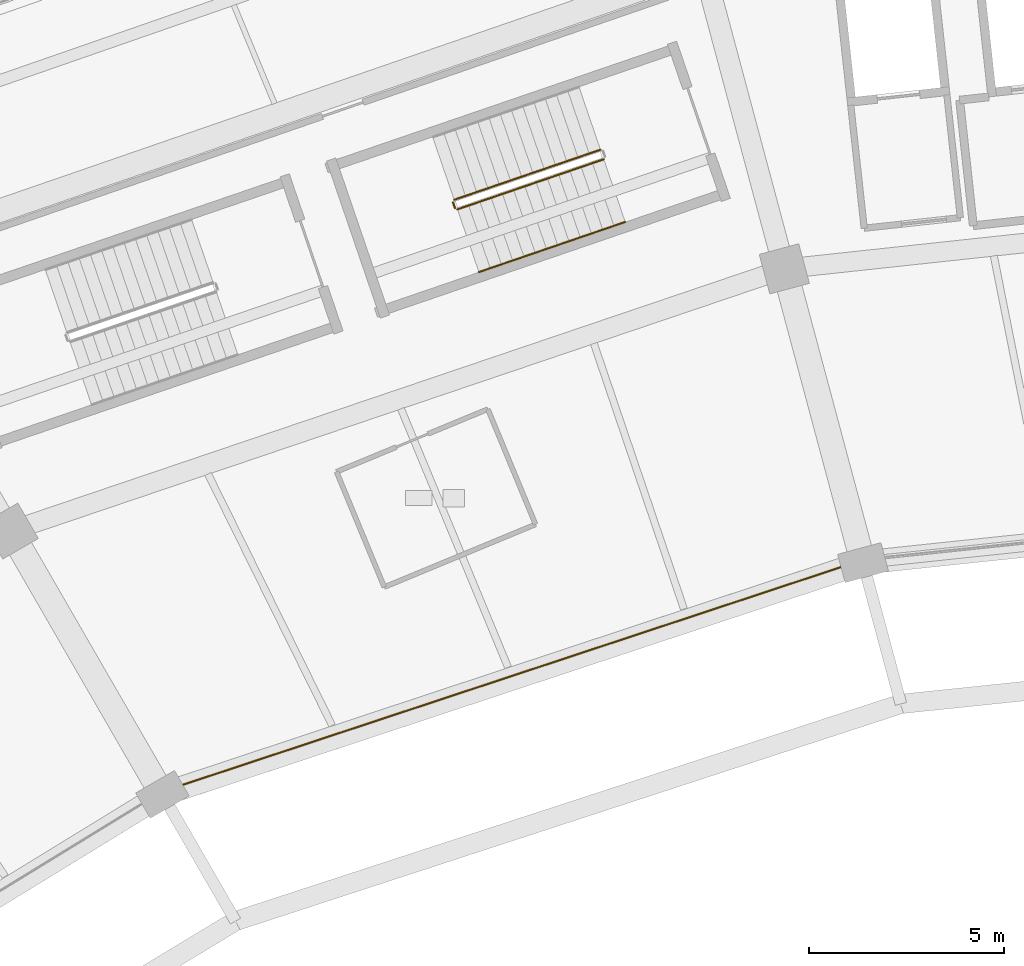
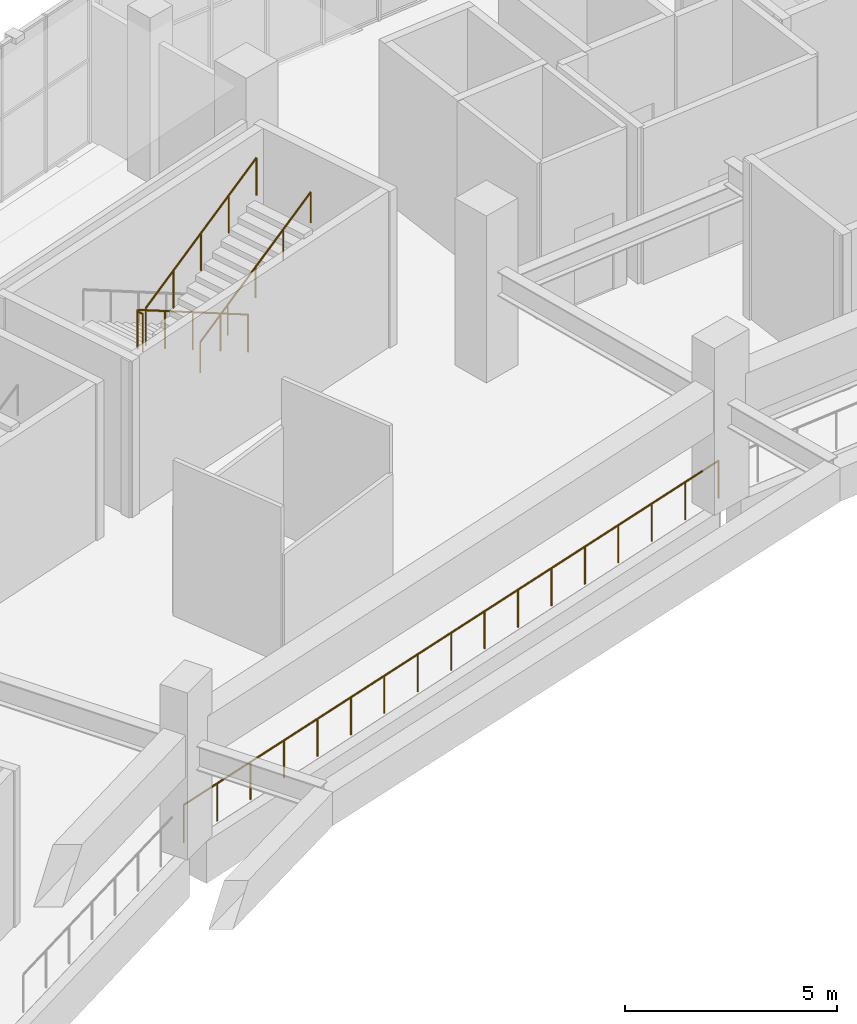
# One storey, part 165 of 179: 5 railings.
"""IFC4 building model written with IfcOpenShell, lengths in metres."""

import ifcopenshell
import ifcopenshell.guid

model = None  # the IFC model being written
_history = None  # IfcOwnerHistory: only IFC2X3 demands one
_inside = {}  # id of a spatial element -> (the spatial element, [elements in it])
_under = {}  # id of a project, library or spatial element -> (it, [spatial elements below it])
_declared = {}  # id of a project -> (the project, [libraries it declares])
_typed = {}  # id of a type object -> (the type object, [elements of that type])
_made_of = {}  # id of a material, layer set ... -> (it, [elements and type objects made of it])


def new_model(schema):
    """Start an empty IFC model of exactly this schema.

    Asked for "IFC4X3", IfcOpenShell would pick the latest addendum, in which some entities
    have other attributes; the version numbers below select the first issue.
    IFC2X3 requires an IfcOwnerHistory on every rooted entity: one is made here for all.
    """
    global model, _history
    if schema == "IFC4X3":
        model = ifcopenshell.file(schema_version=(4, 3, 0, 0))
    else:
        model = ifcopenshell.file(schema=schema)
    _inside.clear()
    _under.clear()
    _declared.clear()
    _typed.clear()
    _made_of.clear()
    _history = None
    if model.schema == "IFC2X3":
        org = make("IfcOrganization", Name="unknown")
        user = make(
            "IfcPersonAndOrganization",
            ThePerson=make("IfcPerson", FamilyName="unknown"),
            TheOrganization=org,
        )
        app = make(
            "IfcApplication",
            ApplicationDeveloper=org,
            Version="unknown",
            ApplicationFullName="unknown",
            ApplicationIdentifier="unknown",
        )
        _history = make(
            "IfcOwnerHistory",
            OwningUser=user,
            OwningApplication=app,
            ChangeAction="ADDED",
            CreationDate=0,
        )
    return model


def make(cls, **values):
    """One entity of the class cls with the attributes given. An attribute that is None is left unset."""
    return model.create_entity(
        cls, **{name: value for name, value in values.items() if value is not None}
    )


def rooted(cls, **values):
    """An entity with a GlobalId (a new one), such as an element, a storey or a relation."""
    return make(cls, GlobalId=ifcopenshell.guid.new(), OwnerHistory=_history, **values)


def si_unit(unit_type, name, prefix=None):
    """IfcSIUnit, for example si_unit("LENGTHUNIT", "METRE", prefix="MILLI")."""
    return make("IfcSIUnit", UnitType=unit_type, Prefix=prefix, Name=name)


def assignment(units):
    """IfcUnitAssignment: the units of a project."""
    return None if units is None else make("IfcUnitAssignment", Units=units)


def point(xyz):
    """IfcCartesianPoint."""
    return None if xyz is None else make("IfcCartesianPoint", Coordinates=xyz)


def direction(xyz):
    """IfcDirection."""
    return None if xyz is None else make("IfcDirection", DirectionRatios=xyz)


def frame(location, z_axis=None, x_axis=None):
    """IfcAxis2Placement3D, a coordinate frame: its origin and axes. An axis left out is left unset."""
    return make(
        "IfcAxis2Placement3D",
        Location=point(location),
        Axis=direction(z_axis),
        RefDirection=direction(x_axis),
    )


def frame_2d(location, x_axis=None):
    """IfcAxis2Placement2D, a coordinate frame in the plane: its origin and x axis."""
    return make(
        "IfcAxis2Placement2D", Location=point(location), RefDirection=direction(x_axis)
    )


def origin():
    """The frame at (0, 0, 0) with its axes left unset."""
    return frame((0.0, 0.0, 0.0))


def origin_2d():
    """The frame at (0, 0) in the plane with its x axis left unset."""
    return frame_2d((0.0, 0.0))


def place(relative_to, where):
    """IfcLocalPlacement: puts the frame where relative to a parent placement (None: the world)."""
    return make(
        "IfcLocalPlacement", PlacementRelTo=relative_to, RelativePlacement=where
    )


def context(
    kind, dimensions, precision=None, world=None, true_north=None, identifier=None
):
    """IfcGeometricRepresentationContext, for example the 3D "Model" context."""
    return make(
        "IfcGeometricRepresentationContext",
        ContextIdentifier=identifier,
        ContextType=kind,
        CoordinateSpaceDimension=dimensions,
        Precision=precision,
        WorldCoordinateSystem=world,
        TrueNorth=true_north,
    )


def subcontext(parent, identifier, kind, view, scale=None):
    """IfcGeometricRepresentationSubContext, for example "Body" below "Model"."""
    return make(
        "IfcGeometricRepresentationSubContext",
        ContextIdentifier=identifier,
        ContextType=kind,
        ParentContext=parent,
        TargetScale=scale,
        TargetView=view,
    )


def project(units=None, contexts=None):
    """IfcProject with its units and contexts."""
    return rooted(
        "IfcProject",
        Name="project",
        RepresentationContexts=contexts,
        UnitsInContext=assignment(units),
    )


def spatial(cls, under=None, at=None, **own):
    """A site, building, storey or space (cls), placed at a placement, below another one or the project."""
    s = rooted(cls, ObjectPlacement=at, **own)
    if under is not None:
        _under.setdefault(under.id(), (under, []))[1].append(s)
    return s


def profile(cls, at=None, kind="AREA", **sizes):
    """A parametric profile (cls). Its sizes go by their IFC names, for example OverallWidth=200.0."""
    return make(cls, ProfileType=kind, Position=at, **sizes)


def circle(**sizes):
    """IfcCircleProfileDef."""
    return profile("IfcCircleProfileDef", **sizes)


def extrude(swept, where, along, depth):
    """IfcExtrudedAreaSolid: the profile swept, set in the frame where, extruded along a direction by depth."""
    return make(
        "IfcExtrudedAreaSolid",
        SweptArea=swept,
        Position=where,
        ExtrudedDirection=direction(along),
        Depth=depth,
    )


def shape(context_of_items, identifier, shape_type, items):
    """IfcShapeRepresentation: the items that make up one representation, for example the "Body"."""
    return make(
        "IfcShapeRepresentation",
        ContextOfItems=context_of_items,
        RepresentationIdentifier=identifier,
        RepresentationType=shape_type,
        Items=items,
    )


def material(Name=None, Category=None):
    """IfcMaterial."""
    return make("IfcMaterial", Name=Name, Category=Category)


def made_of(thing, what):
    """Note that an element or type object is made of a material, layer set ...; save() writes the relation."""
    if what is not None:
        _made_of.setdefault(what.id(), (what, []))[1].append(thing)
    return thing


def type_object(cls, material=None, **own):
    """A type object (cls), such as IfcWallType, which elements share."""
    return made_of(rooted(cls, **own), material)


def element(
    cls,
    number,
    at=None,
    inside=None,
    cuts=None,
    type_object=None,
    material=None,
    context=None,
    identifier="Body",
    shape_type=None,
    held_by="IfcProductDefinitionShape",
    body=None,
    shapes=None,
    **own,
):
    """One element of the class cls, such as IfcWall. Its Tag is "e" and its number.

    at: its placement. inside: the storey or other place that contains it. cuts: it is an
    opening in that element (IfcRelVoidsElement). A single representation is given by context,
    identifier, shape_type and body (its items); several are given by shapes. held_by: the class
    of the entity that holds the representations. save() writes the other relations.
    """
    e = rooted(cls, Tag="e%d" % number, ObjectPlacement=at, **own)
    if body is not None:
        shapes = [shape(context, identifier, shape_type, body)]
    if shapes is not None:
        e.Representation = make(held_by, Representations=shapes)
    if inside is not None:
        _inside.setdefault(inside.id(), (inside, []))[1].append(e)
    if cuts is not None:
        rooted(
            "IfcRelVoidsElement", RelatingBuildingElement=cuts, RelatedOpeningElement=e
        )
    if type_object is not None:
        _typed.setdefault(type_object.id(), (type_object, []))[1].append(e)
    return made_of(e, material)


def aggregate(whole, parts):
    """IfcRelAggregates: a whole, such as a stair, and the parts it consists of."""
    return rooted("IfcRelAggregates", RelatingObject=whole, RelatedObjects=parts)


def save(model, path):
    """Write the relations noted so far, then the file.

    IfcRelAggregates (storeys below a building ...), IfcRelContainedInSpatialStructure (elements
    in a storey), IfcRelDefinesByType, IfcRelAssociatesMaterial and IfcRelDeclares: one each for
    every whole, place, type object, material and project.
    """
    for whole, parts in _under.values():
        aggregate(whole, parts)
    for where, things in _inside.values():
        rooted(
            "IfcRelContainedInSpatialStructure",
            RelatedElements=things,
            RelatingStructure=where,
        )
    for kind, things in _typed.values():
        rooted("IfcRelDefinesByType", RelatedObjects=things, RelatingType=kind)
    for what, things in _made_of.values():
        rooted("IfcRelAssociatesMaterial", RelatedObjects=things, RelatingMaterial=what)
    for by, libraries in _declared.values():
        rooted("IfcRelDeclares", RelatingContext=by, RelatedDefinitions=libraries)
    model.write(path)


model = new_model("IFC4")

# Units and contexts
model_context = context("Model", 3, precision=1e-05, world=origin(), true_north=direction((0.0, 1.0)))
body_context = subcontext(model_context, "Body", "Model", "MODEL_VIEW")
ifc_project = project(units=[si_unit("LENGTHUNIT", "METRE"), si_unit("AREAUNIT", "SQUARE_METRE"), si_unit("VOLUMEUNIT", "CUBIC_METRE"), si_unit("PLANEANGLEUNIT", "RADIAN"), si_unit("MASSUNIT", "GRAM", prefix="KILO")], contexts=[model_context])

# Site, building, storey
site_placement = place(None, origin())
site = spatial("IfcSite", under=ifc_project, at=site_placement, CompositionType="ELEMENT")
building_placement = place(site_placement, origin())
building = spatial("IfcBuilding", under=site, at=building_placement, Name="Zevraka Park Crest Stadium", CompositionType="ELEMENT")
storey_placement = place(building_placement, frame((0.0, 0.0, 10.199951171875)))
storey = spatial("IfcBuildingStorey", under=building, at=storey_placement, Name="L02", CompositionType="ELEMENT", Elevation=10.199951171875)

# Railings
ifc_material_1 = material(Name="Galvanised and bronze-finished steel balustrade", Category="steel")
railing_type_1 = type_object("IfcRailingType", Name="GR01", PredefinedType="GUARDRAIL", material=ifc_material_1)
railing_1_placement = place(storey_placement, frame((92.70703125, 149.5419921875, 0.0)))
element("IfcRailing", 1, at=railing_1_placement, inside=storey, type_object=railing_type_1, Name="Deck Edge Protection Guardrail GR01 L02-70", PredefinedType="GUARDRAIL", context=body_context, shape_type="SweptSolid", body=[
    extrude(circle(Radius=0.02392578125, at=origin_2d()), frame((0.0, 0.0, 1.076171875), z_axis=(-0.949414158657, -0.314026679347, 0.0), x_axis=(0.314026679347, -0.949414158657, 0.0)), (0.0, 0.0, 1.0), 18.941162109375),
    extrude(circle(Radius=0.02099609375, at=origin_2d()), origin(), (0.0, 0.0, 1.0), 1.052001953125),
    extrude(circle(Radius=0.02099609375, at=origin_2d()), frame((-1.1240234375, -0.371826171875, 0.0)), (0.0, 0.0, 1.0), 1.052001953125),
    extrude(circle(Radius=0.02099609375, at=origin_2d()), frame((-2.247802734375, -0.743408203125, 0.0)), (0.0, 0.0, 1.0), 1.052001953125),
    extrude(circle(Radius=0.02099609375, at=origin_2d()), frame((-3.371826171875, -1.115234375, 0.0)), (0.0, 0.0, 1.0), 1.052001953125),
    extrude(circle(Radius=0.02099609375, at=origin_2d()), frame((-4.49560546875, -1.487060546875, 0.0)), (0.0, 0.0, 1.0), 1.052001953125),
    extrude(circle(Radius=0.02099609375, at=origin_2d()), frame((-5.61962890625, -1.858642578125, 0.0)), (0.0, 0.0, 1.0), 1.052001953125),
    extrude(circle(Radius=0.02099609375, at=origin_2d()), frame((-6.74365234375, -2.23046875, 0.0)), (0.0, 0.0, 1.0), 1.052001953125),
    extrude(circle(Radius=0.02099609375, at=origin_2d()), frame((-7.867431640625, -2.602294921875, 0.0)), (0.0, 0.0, 1.0), 1.052001953125),
    extrude(circle(Radius=0.02099609375, at=origin_2d()), frame((-8.991455078125, -2.97412109375, 0.0)), (0.0, 0.0, 1.0), 1.052001953125),
    extrude(circle(Radius=0.02099609375, at=origin_2d()), frame((-10.115478515625, -3.345703125, 0.0)), (0.0, 0.0, 1.0), 1.052001953125),
    extrude(circle(Radius=0.02099609375, at=origin_2d()), frame((-11.2392578125, -3.717529296875, 0.0)), (0.0, 0.0, 1.0), 1.052001953125),
    extrude(circle(Radius=0.02099609375, at=origin_2d()), frame((-12.36328125, -4.08935546875, 0.0)), (0.0, 0.0, 1.0), 1.052001953125),
    extrude(circle(Radius=0.02099609375, at=origin_2d()), frame((-13.4873046875, -4.4609375, 0.0)), (0.0, 0.0, 1.0), 1.052001953125),
    extrude(circle(Radius=0.02099609375, at=origin_2d()), frame((-14.611083984375, -4.832763671875, 0.0)), (0.0, 0.0, 1.0), 1.052001953125),
    extrude(circle(Radius=0.02099609375, at=origin_2d()), frame((-15.735107421875, -5.20458984375, 0.0)), (0.0, 0.0, 1.0), 1.052001953125),
    extrude(circle(Radius=0.02099609375, at=origin_2d()), frame((-16.85888671875, -5.576171875, 0.0)), (0.0, 0.0, 1.0), 1.052001953125),
    extrude(circle(Radius=0.02099609375, at=origin_2d()), frame((-17.98291015625, -5.947998046875, 0.0)), (0.0, 0.0, 1.0), 1.052001953125),
])
ifc_material_2 = material(Name="Powder-coated tubular steel stairwell guard", Category="steel")
railing_type_2 = type_object("IfcRailingType", Name="GR03", PredefinedType="GUARDRAIL", material=ifc_material_2)
railing_2_placement = place(storey_placement, frame((85.98388671875, 160.0634765625, 0.17138671875)))
element("IfcRailing", 2, at=railing_2_placement, inside=storey, type_object=railing_type_2, Name="L02 ST08 stair guard 1", PredefinedType="GUARDRAIL", context=body_context, shape_type="SweptSolid", body=[
    extrude(circle(Radius=0.02392578125, at=origin_2d()), frame((0.0, 0.0, 1.076171875), z_axis=(-0.824705104737, -0.282433990311, 0.489992378857), x_axis=(0.32399372979, -0.946059228091, 0.0)), (0.0, 0.0, 1.0), 4.548583984375),
    extrude(circle(Radius=0.02099609375, at=origin_2d()), origin(), (0.0, 0.0, 1.0), 1.052001953125),
    extrude(circle(Radius=0.02099609375, at=origin_2d()), frame((-0.937744140625, -0.3212890625, 0.55712890625)), (0.0, 0.0, 1.0), 1.052001953125),
    extrude(circle(Radius=0.02099609375, at=origin_2d()), frame((-1.87548828125, -0.642333984375, 1.1142578125)), (0.0, 0.0, 1.0), 1.052001953125),
    extrude(circle(Radius=0.02099609375, at=origin_2d()), frame((-2.8134765625, -0.96337890625, 1.671630859375)), (0.0, 0.0, 1.0), 1.052001953125),
    extrude(circle(Radius=0.02099609375, at=origin_2d()), frame((-3.751220703125, -1.28466796875, 2.228759765625)), (0.0, 0.0, 1.0), 1.052001953125),
])
railing_3_placement = place(storey_placement, frame((82.201416015625, 158.71533203125, 2.400146484375)))
element("IfcRailing", 3, at=railing_3_placement, inside=storey, type_object=railing_type_2, Name="L02 ST08 stair guard 2", PredefinedType="GUARDRAIL", context=body_context, shape_type="SweptSolid", body=[
    extrude(circle(Radius=0.02392578125, at=origin_2d()), frame((0.0, 0.0, 1.076171875), z_axis=(0.324909238665, -0.945745201748, 0.0), x_axis=(0.945745201748, 0.324909238665, 0.0)), (0.0, 0.0, 1.0), 0.16015625),
    extrude(circle(Radius=0.02099609375, at=origin_2d()), origin(), (0.0, 0.0, 1.0), 1.052001953125),
    extrude(circle(Radius=0.02099609375, at=origin_2d()), frame((0.052001953125, -0.1513671875, 0.0)), (0.0, 0.0, 1.0), 1.052001953125),
])
railing_4_placement = place(storey_placement, frame((82.31689453125, 158.532958984375, 2.571533203125)))
element("IfcRailing", 4, at=railing_4_placement, inside=storey, type_object=railing_type_2, Name="L02 ST08 stair guard 3", PredefinedType="GUARDRAIL", context=body_context, shape_type="SweptSolid", body=[
    extrude(circle(Radius=0.02392578125, at=origin_2d()), frame((0.0, 0.0, 1.076171875), z_axis=(0.824739296281, 0.282392023283, 0.489959017016), x_axis=(-0.323938619155, 0.946078099852, 0.0)), (0.0, 0.0, 1.0), 4.54833984375),
    extrude(circle(Radius=0.02099609375, at=origin_2d()), origin(), (0.0, 0.0, 1.0), 1.052001953125),
    extrude(circle(Radius=0.02099609375, at=origin_2d()), frame((0.937744140625, 0.321044921875, 0.55712890625)), (0.0, 0.0, 1.0), 1.052001953125),
    extrude(circle(Radius=0.02099609375, at=origin_2d()), frame((1.87548828125, 0.64208984375, 1.1142578125)), (0.0, 0.0, 1.0), 1.052001953125),
    extrude(circle(Radius=0.02099609375, at=origin_2d()), frame((2.8134765625, 0.96337890625, 1.67138671875)), (0.0, 0.0, 1.0), 1.052001953125),
    extrude(circle(Radius=0.02099609375, at=origin_2d()), frame((3.751220703125, 1.284423828125, 2.228515625)), (0.0, 0.0, 1.0), 1.052001953125),
])
ifc_material_3 = material(Name="Brushed stainless steel continuous handrail", Category="steel")
railing_type_3 = type_object("IfcRailingType", Name="HR01", PredefinedType="HANDRAIL", material=ifc_material_3)
railing_5_placement = place(storey_placement, frame((82.86767578125, 156.924560546875, 2.571533203125)))
element("IfcRailing", 5, at=railing_5_placement, inside=storey, type_object=railing_type_3, Name="L02 ST08 stair handrail 2", PredefinedType="HANDRAIL", context=body_context, shape_type="SweptSolid", body=[
    extrude(circle(Radius=0.02392578125, at=origin_2d()), frame((0.0, 0.0, 0.8759765625), z_axis=(0.824726794133, 0.282441418206, 0.489951589772), x_axis=(-0.32399372979, 0.946059228091, 0.0)), (0.0, 0.0, 1.0), 4.54833984375),
    extrude(circle(Radius=0.02099609375, at=origin_2d()), origin(), (0.0, 0.0, 1.0), 0.851806640625),
    extrude(circle(Radius=0.02099609375, at=origin_2d()), frame((0.937744140625, 0.3212890625, 0.55712890625)), (0.0, 0.0, 1.0), 0.851806640625),
    extrude(circle(Radius=0.02099609375, at=origin_2d()), frame((1.87548828125, 0.642333984375, 1.1142578125)), (0.0, 0.0, 1.0), 0.851806640625),
    extrude(circle(Radius=0.02099609375, at=origin_2d()), frame((2.8134765625, 0.96337890625, 1.67138671875)), (0.0, 0.0, 1.0), 0.851806640625),
    extrude(circle(Radius=0.02099609375, at=origin_2d()), frame((3.751220703125, 1.28466796875, 2.228515625)), (0.0, 0.0, 1.0), 0.851806640625),
])

save(model, "model.ifc")
